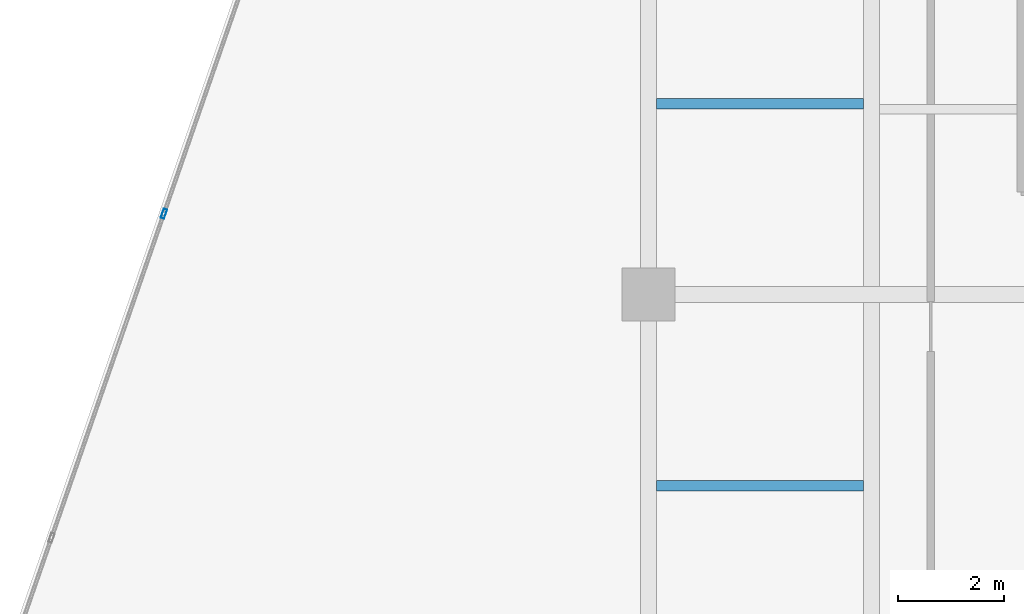
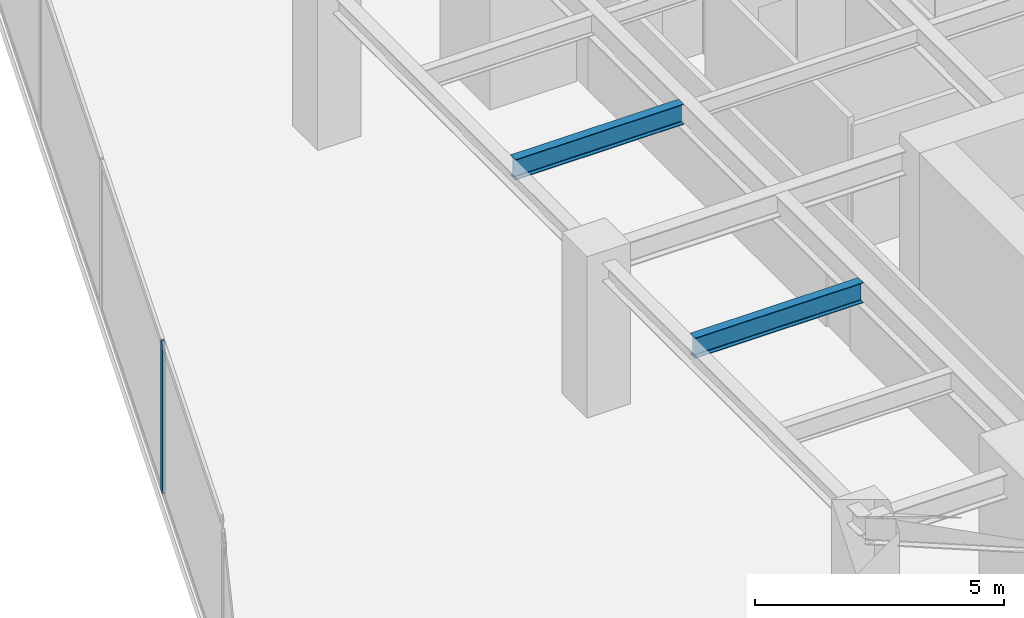
# One storey, part 8 of 27: 2 beams, 1 member, 1 element without a shape of its own.
"""IFC4 building model written with IfcOpenShell, lengths in metres."""

import ifcopenshell
import ifcopenshell.guid

model = None  # the IFC model being written
_history = None  # IfcOwnerHistory: only IFC2X3 demands one
_inside = {}  # id of a spatial element -> (the spatial element, [elements in it])
_under = {}  # id of a project, library or spatial element -> (it, [spatial elements below it])
_declared = {}  # id of a project -> (the project, [libraries it declares])
_typed = {}  # id of a type object -> (the type object, [elements of that type])
_made_of = {}  # id of a material, layer set ... -> (it, [elements and type objects made of it])


def new_model(schema):
    """Start an empty IFC model of exactly this schema.

    Asked for "IFC4X3", IfcOpenShell would pick the latest addendum, in which some entities
    have other attributes; the version numbers below select the first issue.
    IFC2X3 requires an IfcOwnerHistory on every rooted entity: one is made here for all.
    """
    global model, _history
    if schema == "IFC4X3":
        model = ifcopenshell.file(schema_version=(4, 3, 0, 0))
    else:
        model = ifcopenshell.file(schema=schema)
    _inside.clear()
    _under.clear()
    _declared.clear()
    _typed.clear()
    _made_of.clear()
    _history = None
    if model.schema == "IFC2X3":
        org = make("IfcOrganization", Name="unknown")
        user = make(
            "IfcPersonAndOrganization",
            ThePerson=make("IfcPerson", FamilyName="unknown"),
            TheOrganization=org,
        )
        app = make(
            "IfcApplication",
            ApplicationDeveloper=org,
            Version="unknown",
            ApplicationFullName="unknown",
            ApplicationIdentifier="unknown",
        )
        _history = make(
            "IfcOwnerHistory",
            OwningUser=user,
            OwningApplication=app,
            ChangeAction="ADDED",
            CreationDate=0,
        )
    return model


def make(cls, **values):
    """One entity of the class cls with the attributes given. An attribute that is None is left unset."""
    return model.create_entity(
        cls, **{name: value for name, value in values.items() if value is not None}
    )


def rooted(cls, **values):
    """An entity with a GlobalId (a new one), such as an element, a storey or a relation."""
    return make(cls, GlobalId=ifcopenshell.guid.new(), OwnerHistory=_history, **values)


def si_unit(unit_type, name, prefix=None):
    """IfcSIUnit, for example si_unit("LENGTHUNIT", "METRE", prefix="MILLI")."""
    return make("IfcSIUnit", UnitType=unit_type, Prefix=prefix, Name=name)


def assignment(units):
    """IfcUnitAssignment: the units of a project."""
    return None if units is None else make("IfcUnitAssignment", Units=units)


def point(xyz):
    """IfcCartesianPoint."""
    return None if xyz is None else make("IfcCartesianPoint", Coordinates=xyz)


def direction(xyz):
    """IfcDirection."""
    return None if xyz is None else make("IfcDirection", DirectionRatios=xyz)


def frame(location, z_axis=None, x_axis=None):
    """IfcAxis2Placement3D, a coordinate frame: its origin and axes. An axis left out is left unset."""
    return make(
        "IfcAxis2Placement3D",
        Location=point(location),
        Axis=direction(z_axis),
        RefDirection=direction(x_axis),
    )


def frame_2d(location, x_axis=None):
    """IfcAxis2Placement2D, a coordinate frame in the plane: its origin and x axis."""
    return make(
        "IfcAxis2Placement2D", Location=point(location), RefDirection=direction(x_axis)
    )


def origin():
    """The frame at (0, 0, 0) with its axes left unset."""
    return frame((0.0, 0.0, 0.0))


def origin_2d():
    """The frame at (0, 0) in the plane with its x axis left unset."""
    return frame_2d((0.0, 0.0))


def place(relative_to, where):
    """IfcLocalPlacement: puts the frame where relative to a parent placement (None: the world)."""
    return make(
        "IfcLocalPlacement", PlacementRelTo=relative_to, RelativePlacement=where
    )


def context(
    kind, dimensions, precision=None, world=None, true_north=None, identifier=None
):
    """IfcGeometricRepresentationContext, for example the 3D "Model" context."""
    return make(
        "IfcGeometricRepresentationContext",
        ContextIdentifier=identifier,
        ContextType=kind,
        CoordinateSpaceDimension=dimensions,
        Precision=precision,
        WorldCoordinateSystem=world,
        TrueNorth=true_north,
    )


def subcontext(parent, identifier, kind, view, scale=None):
    """IfcGeometricRepresentationSubContext, for example "Body" below "Model"."""
    return make(
        "IfcGeometricRepresentationSubContext",
        ContextIdentifier=identifier,
        ContextType=kind,
        ParentContext=parent,
        TargetScale=scale,
        TargetView=view,
    )


def project(units=None, contexts=None):
    """IfcProject with its units and contexts."""
    return rooted(
        "IfcProject",
        Name="project",
        RepresentationContexts=contexts,
        UnitsInContext=assignment(units),
    )


def spatial(cls, under=None, at=None, **own):
    """A site, building, storey or space (cls), placed at a placement, below another one or the project."""
    s = rooted(cls, ObjectPlacement=at, **own)
    if under is not None:
        _under.setdefault(under.id(), (under, []))[1].append(s)
    return s


def profile(cls, at=None, kind="AREA", **sizes):
    """A parametric profile (cls). Its sizes go by their IFC names, for example OverallWidth=200.0."""
    return make(cls, ProfileType=kind, Position=at, **sizes)


def hollow_rectangle(**sizes):
    """IfcRectangleHollowProfileDef."""
    return profile("IfcRectangleHollowProfileDef", **sizes)


def i_section(**sizes):
    """IfcIShapeProfileDef."""
    return profile("IfcIShapeProfileDef", **sizes)


def extrude(swept, where, along, depth):
    """IfcExtrudedAreaSolid: the profile swept, set in the frame where, extruded along a direction by depth."""
    return make(
        "IfcExtrudedAreaSolid",
        SweptArea=swept,
        Position=where,
        ExtrudedDirection=direction(along),
        Depth=depth,
    )


def shape(context_of_items, identifier, shape_type, items):
    """IfcShapeRepresentation: the items that make up one representation, for example the "Body"."""
    return make(
        "IfcShapeRepresentation",
        ContextOfItems=context_of_items,
        RepresentationIdentifier=identifier,
        RepresentationType=shape_type,
        Items=items,
    )


def source(mapping_origin, context_of_items, identifier, shape_type, items):
    """IfcRepresentationMap: a shape defined once, which mapped items show again and again."""
    return make(
        "IfcRepresentationMap",
        MappingOrigin=mapping_origin,
        MappedRepresentation=shape(context_of_items, identifier, shape_type, items),
    )


def transform(
    local_origin,
    x_axis=None,
    y_axis=None,
    z_axis=None,
    scale=None,
    scale2=None,
    scale3=None,
    uniform=True,
):
    """IfcCartesianTransformationOperator3D, or its non-uniform kind. x_axis, y_axis, z_axis: its Axis1, 2, 3."""
    if uniform:
        return make(
            "IfcCartesianTransformationOperator3D",
            Axis1=direction(x_axis),
            Axis2=direction(y_axis),
            LocalOrigin=point(local_origin),
            Scale=scale,
            Axis3=direction(z_axis),
        )
    return make(
        "IfcCartesianTransformationOperator3DnonUniform",
        Axis1=direction(x_axis),
        Axis2=direction(y_axis),
        LocalOrigin=point(local_origin),
        Scale=scale,
        Axis3=direction(z_axis),
        Scale2=scale2,
        Scale3=scale3,
    )


def mapped(mapping_source, mapping_target):
    """IfcMappedItem: shows the shape of a source again, moved by a transform."""
    return make(
        "IfcMappedItem", MappingSource=mapping_source, MappingTarget=mapping_target
    )


def material(Name=None, Category=None):
    """IfcMaterial."""
    return make("IfcMaterial", Name=Name, Category=Category)


def material_profile(
    of_material, cross_section, Name=None, Category=None, Priority=None
):
    """IfcMaterialProfile: a cross section and its material."""
    return make(
        "IfcMaterialProfile",
        Name=Name,
        Material=of_material,
        Profile=cross_section,
        Priority=Priority,
        Category=Category,
    )


def profile_set(profiles, Name=None, composite=None):
    """IfcMaterialProfileSet."""
    return make(
        "IfcMaterialProfileSet",
        Name=Name,
        MaterialProfiles=profiles,
        CompositeProfile=composite,
    )


def made_of(thing, what):
    """Note that an element or type object is made of a material, layer set ...; save() writes the relation."""
    if what is not None:
        _made_of.setdefault(what.id(), (what, []))[1].append(thing)
    return thing


def type_object(cls, material=None, **own):
    """A type object (cls), such as IfcWallType, which elements share."""
    return made_of(rooted(cls, **own), material)


def type_shapes(of_type, sources):
    """Give a type object the sources (RepresentationMaps) that its elements show as mapped items."""
    of_type.RepresentationMaps = sources


def element(
    cls,
    number,
    at=None,
    inside=None,
    cuts=None,
    type_object=None,
    material=None,
    context=None,
    identifier="Body",
    shape_type=None,
    held_by="IfcProductDefinitionShape",
    body=None,
    shapes=None,
    **own,
):
    """One element of the class cls, such as IfcWall. Its Tag is "e" and its number.

    at: its placement. inside: the storey or other place that contains it. cuts: it is an
    opening in that element (IfcRelVoidsElement). A single representation is given by context,
    identifier, shape_type and body (its items); several are given by shapes. held_by: the class
    of the entity that holds the representations. save() writes the other relations.
    """
    e = rooted(cls, Tag="e%d" % number, ObjectPlacement=at, **own)
    if body is not None:
        shapes = [shape(context, identifier, shape_type, body)]
    if shapes is not None:
        e.Representation = make(held_by, Representations=shapes)
    if inside is not None:
        _inside.setdefault(inside.id(), (inside, []))[1].append(e)
    if cuts is not None:
        rooted(
            "IfcRelVoidsElement", RelatingBuildingElement=cuts, RelatedOpeningElement=e
        )
    if type_object is not None:
        _typed.setdefault(type_object.id(), (type_object, []))[1].append(e)
    return made_of(e, material)


def aggregate(whole, parts):
    """IfcRelAggregates: a whole, such as a stair, and the parts it consists of."""
    return rooted("IfcRelAggregates", RelatingObject=whole, RelatedObjects=parts)


def save(model, path):
    """Write the relations noted so far, then the file.

    IfcRelAggregates (storeys below a building ...), IfcRelContainedInSpatialStructure (elements
    in a storey), IfcRelDefinesByType, IfcRelAssociatesMaterial and IfcRelDeclares: one each for
    every whole, place, type object, material and project.
    """
    for whole, parts in _under.values():
        aggregate(whole, parts)
    for where, things in _inside.values():
        rooted(
            "IfcRelContainedInSpatialStructure",
            RelatedElements=things,
            RelatingStructure=where,
        )
    for kind, things in _typed.values():
        rooted("IfcRelDefinesByType", RelatedObjects=things, RelatingType=kind)
    for what, things in _made_of.values():
        rooted("IfcRelAssociatesMaterial", RelatedObjects=things, RelatingMaterial=what)
    for by, libraries in _declared.values():
        rooted("IfcRelDeclares", RelatingContext=by, RelatedDefinitions=libraries)
    model.write(path)


model = new_model("IFC4")

# Units and contexts
model_context = context("Model", 3, precision=1e-05, world=origin(), true_north=direction((0.0, 1.0)))
body_context = subcontext(model_context, "Body", "Model", "MODEL_VIEW")
ifc_project = project(units=[si_unit("LENGTHUNIT", "METRE"), si_unit("AREAUNIT", "SQUARE_METRE"), si_unit("VOLUMEUNIT", "CUBIC_METRE"), si_unit("PLANEANGLEUNIT", "RADIAN"), si_unit("MASSUNIT", "GRAM", prefix="KILO")], contexts=[model_context])

# Site, building, storey
site_placement = place(None, origin())
site = spatial("IfcSite", under=ifc_project, at=site_placement, CompositionType="ELEMENT")
building_placement = place(site_placement, origin())
building = spatial("IfcBuilding", under=site, at=building_placement, Name="Krantzveldt Concourse Tower", CompositionType="ELEMENT")
storey_placement = place(building_placement, frame((0.0, 0.0, 121.64990234375)))
storey = spatial("IfcBuildingStorey", under=building, at=storey_placement, Name="L29", CompositionType="ELEMENT", Elevation=121.64990234375)

# Beams
ifc_material_1 = material(Name="Steel S355JR", Category="steel")
ifc_material_profile_1 = material_profile(ifc_material_1, i_section(OverallWidth=0.199951171875, OverallDepth=0.5, WebThickness=0.01025390625, FlangeThickness=0.01611328125, FilletRadius=0.02099609375, at=origin_2d()), Name="Steel S355JR", Category="steel")
ifc_profile_set_1 = profile_set([ifc_material_profile_1], Name="Steel S355JR - IPE 500")
beam_type = type_object("IfcBeamType", Name="BM-J-IPE500", PredefinedType="JOIST", material=ifc_profile_set_1)
shared_shape_1 = source(origin(), body_context, "Body", "SweptSolid", [
    extrude(i_section(OverallWidth=0.199951171875, OverallDepth=0.5, WebThickness=0.01025390625, FlangeThickness=0.01611328125, FilletRadius=0.02099609375, at=origin_2d()), origin(), (0.0, 0.0, 1.0), 3.900146484375),
])
type_shapes(beam_type, [shared_shape_1])
for number, where, z_axis, x_axis, name in (
    (1, (21.14990234375, 23.10009765625, 3.420166015625), (1.0, 0.0, 0.0), (0.0, 1.0, 0.0), "L29 Secondary Floor Joist JW-2"),
    (2, (21.14990234375, 30.300048828125, 3.420166015625), (1.0, 0.0, 0.0), (0.0, 1.0, 0.0), "L29 Secondary Floor Joist JW-3"),
):
    element("IfcBeam", number, at=place(storey_placement, frame(where, z_axis=z_axis, x_axis=x_axis)), inside=storey, type_object=beam_type, Name=name, PredefinedType="JOIST", context=body_context, shape_type="MappedRepresentation", body=[
        mapped(shared_shape_1, transform((0.0, 0.0, 0.0), x_axis=(1.0, 0.0, 0.0), y_axis=(0.0, 1.0, 0.0), z_axis=(0.0, 0.0, 1.0), scale=1.0)),
    ])

# Curtain wall, member
ifc_material_2 = material(Name="Anodised aluminium 6063-T6", Category="aluminium")
curtain_wall_type = type_object("IfcCurtainWallType", Name="CW2", PredefinedType="USERDEFINED", material=ifc_material_2)
curtain_wall_placement = place(storey_placement, origin())
curtain_wall = element("IfcCurtainWall", 3, at=curtain_wall_placement, inside=storey, type_object=curtain_wall_type, Name="CW-L29-F01", ObjectType="UNITISED CURTAIN WALL", PredefinedType="USERDEFINED")
ifc_material_profile_2 = material_profile(ifc_material_2, hollow_rectangle(XDim=0.070068359375, YDim=0.179931640625, WallThickness=0.0048828125, at=origin_2d()), Name="Anodised aluminium 6063-T6", Category="aluminium")
ifc_profile_set_2 = profile_set([ifc_material_profile_2], Name="Anodised aluminium 6063-T6 - ALU-MULL 180x70x5")
member_type = type_object("IfcMemberType", Name="CW-MUL-180", PredefinedType="MULLION", material=ifc_profile_set_2)
shared_shape_2 = source(origin(), body_context, "Body", "SweptSolid", [
    extrude(hollow_rectangle(XDim=0.070068359375, YDim=0.179931640625, WallThickness=0.0048828125, at=origin_2d()), origin(), (0.0, 0.0, 1.0), 3.670166015625),
])
type_shapes(member_type, [shared_shape_2])
member_placement = place(storey_placement, frame((11.85791015625, 28.227294921875, 0.0), z_axis=(0.0, 0.0, 1.0), x_axis=(0.944806041446, -0.32763019404, 0.0)))
member = element("IfcMember", 4, at=member_placement, type_object=member_type, Name="CW-Z12 mullion 5", PredefinedType="MULLION", context=body_context, shape_type="MappedRepresentation", body=[
    mapped(shared_shape_2, transform((0.0, 0.0, 0.0), x_axis=(1.0, 0.0, 0.0), y_axis=(0.0, 1.0, 0.0), z_axis=(0.0, 0.0, 1.0), scale=1.0)),
])
aggregate(curtain_wall, [member])

save(model, "model.ifc")
